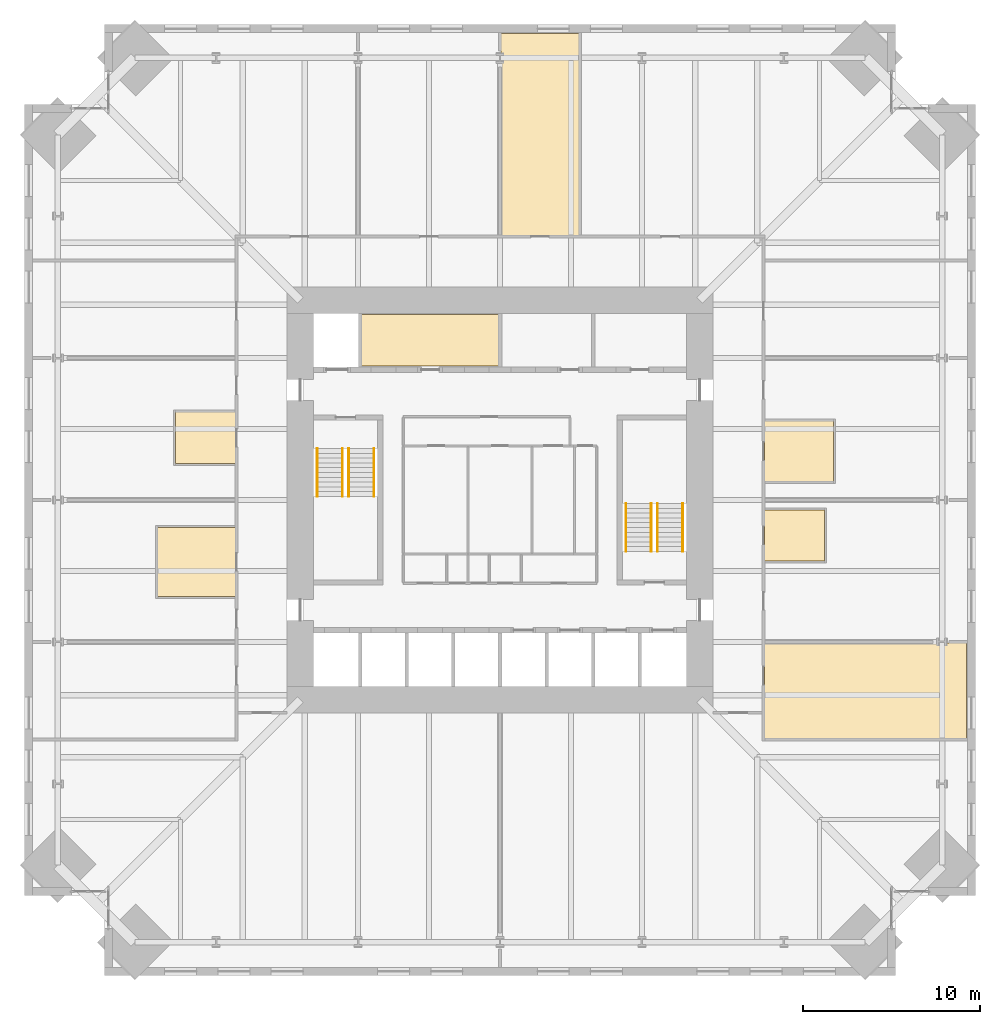
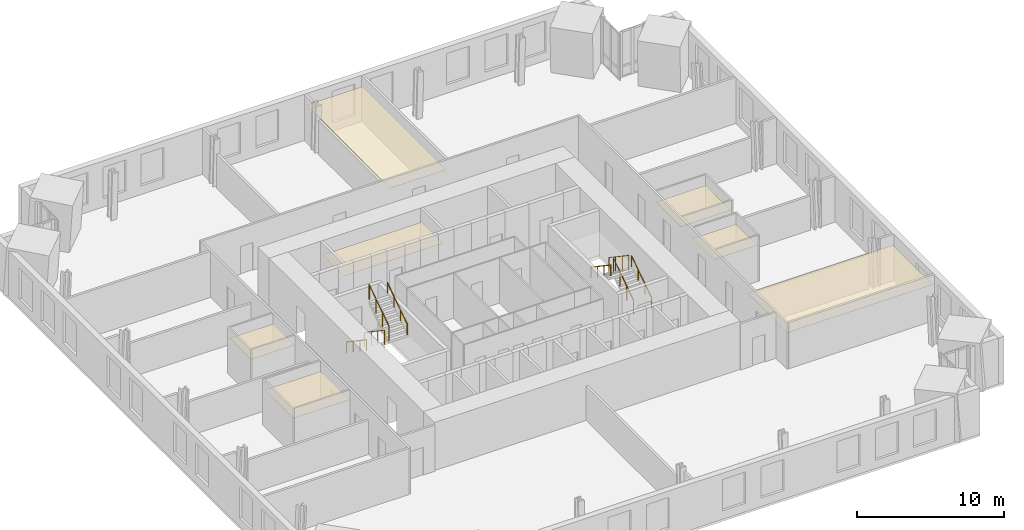
# One storey, part 17 of 17: 8 railings, 7 coverings.
"""IFC4 building model written with IfcOpenShell, lengths in metres."""

from ifc_helpers import new_model, si_unit, direction, frame, origin, origin_2d, place, context, subcontext, project, spatial, polyline, circle, outline, extrude, material, layer, layer_set, type_object, element, save


model = new_model("IFC4")

# Units and contexts
model_context = context("Model", 3, precision=1e-05, world=origin(), true_north=direction((0.0, 1.0)))
body_context = subcontext(model_context, "Body", "Model", "MODEL_VIEW")
ifc_project = project(units=[si_unit("LENGTHUNIT", "METRE"), si_unit("AREAUNIT", "SQUARE_METRE"), si_unit("VOLUMEUNIT", "CUBIC_METRE"), si_unit("PLANEANGLEUNIT", "RADIAN"), si_unit("MASSUNIT", "GRAM", prefix="KILO")], contexts=[model_context])

# Site, building, storey
site_placement = place(None, origin())
site = spatial("IfcSite", under=ifc_project, at=site_placement, CompositionType="ELEMENT")
building_placement = place(site_placement, origin())
building = spatial("IfcBuilding", under=site, at=building_placement, Name="Peilmerk Tower", CompositionType="ELEMENT")
storey_placement = place(building_placement, frame((0.0, 0.0, 147.800048828125)))
storey = spatial("IfcBuildingStorey", under=building, at=storey_placement, Name="L30", CompositionType="ELEMENT", Elevation=147.800048828125)

# Coverings
ifc_material_1 = material(Name="Mineral fibre ceiling tiles", Category="mineral")
ifc_layer = layer(ifc_material_1, 0.02490234375)
ifc_layer_set = layer_set([ifc_layer], Name="Mineral fibre ceiling tiles")
covering_type = type_object("IfcCoveringType", Name="CL1 25 suspended ceiling", PredefinedType="CEILING", material=ifc_layer_set)
covering_1_placement = place(storey_placement, frame((0.0, 0.0, 2.905029296875)))
element("IfcCovering", 1, at=covering_1_placement, inside=storey, type_object=covering_type, Name="Suspended ceiling Project room", PredefinedType="CEILING", context=body_context, shape_type="SweptSolid", body=[
    extrude(outline(polyline([(4.449951171875, 26.300048828125), (0.050048828125, 26.300048828125), (0.050048828125, 14.89990234375), (4.449951171875, 14.89990234375), (4.449951171875, 26.300048828125)])), origin(), (0.0, 0.0, 1.0), 0.02490234375),
])
covering_2_placement = place(storey_placement, frame((0.0, 0.0, 2.905029296875)))
element("IfcCovering", 2, at=covering_2_placement, inside=storey, type_object=covering_type, Name="Suspended ceiling Project room", PredefinedType="CEILING", context=body_context, shape_type="SweptSolid", body=[
    extrude(outline(polyline([(26.300048828125, -13.449951171875), (26.300048828125, -8.050048828125), (14.89990234375, -8.050048828125), (14.89990234375, -13.449951171875), (26.300048828125, -13.449951171875)])), origin(), (0.0, 0.0, 1.0), 0.02490234375),
])
covering_3_placement = place(storey_placement, frame((0.0, 0.0, 2.905029296875)))
element("IfcCovering", 3, at=covering_3_placement, inside=storey, type_object=covering_type, Name="Suspended ceiling Pantry", PredefinedType="CEILING", context=body_context, shape_type="SweptSolid", body=[
    extrude(outline(polyline([(18.800048828125, 1.050048828125), (18.800048828125, 4.449951171875), (14.89990234375, 4.449951171875), (14.89990234375, 1.050048828125), (18.800048828125, 1.050048828125)])), origin(), (0.0, 0.0, 1.0), 0.02490234375),
])
covering_4_placement = place(storey_placement, frame((0.0, 0.0, 2.905029296875)))
element("IfcCovering", 4, at=covering_4_placement, inside=storey, type_object=covering_type, Name="Suspended ceiling Focus room", PredefinedType="CEILING", context=body_context, shape_type="SweptSolid", body=[
    extrude(outline(polyline([(18.300048828125, -3.449951171875), (18.300048828125, -0.550048828125), (14.89990234375, -0.550048828125), (14.89990234375, -3.449951171875), (18.300048828125, -3.449951171875)])), origin(), (0.0, 0.0, 1.0), 0.02490234375),
])
covering_5_placement = place(storey_placement, frame((0.0, 0.0, 2.905029296875)))
element("IfcCovering", 5, at=covering_5_placement, inside=storey, type_object=covering_type, Name="Suspended ceiling Focus room", PredefinedType="CEILING", context=body_context, shape_type="SweptSolid", body=[
    extrude(outline(polyline([(-14.89990234375, 2.050048828125), (-14.89990234375, 4.949951171875), (-18.300048828125, 4.949951171875), (-18.300048828125, 2.050048828125), (-14.89990234375, 2.050048828125)])), origin(), (0.0, 0.0, 1.0), 0.02490234375),
])
covering_6_placement = place(storey_placement, frame((0.0, 0.0, 2.905029296875)))
element("IfcCovering", 6, at=covering_6_placement, inside=storey, type_object=covering_type, Name="Suspended ceiling Meeting room", PredefinedType="CEILING", context=body_context, shape_type="SweptSolid", body=[
    extrude(outline(polyline([(-14.89990234375, -5.449951171875), (-14.89990234375, -1.550048828125), (-19.300048828125, -1.550048828125), (-19.300048828125, -5.449951171875), (-14.89990234375, -5.449951171875)])), origin(), (0.0, 0.0, 1.0), 0.02490234375),
])
covering_7_placement = place(storey_placement, frame((0.0, 0.0, 2.824951171875)))
element("IfcCovering", 7, at=covering_7_placement, inside=storey, type_object=covering_type, Name="Suspended ceiling Back-of-house office", PredefinedType="CEILING", context=body_context, shape_type="SweptSolid", body=[
    extrude(outline(polyline([(-7.823974609375, 7.551025390625), (-0.051025390625, 7.551025390625), (-0.051025390625, 10.448974609375), (-7.823974609375, 10.448974609375), (-7.823974609375, 7.551025390625)])), origin(), (0.0, 0.0, 1.0), 0.02490234375),
])

# Railings
ifc_material_2 = material(Name="Steel flat bar balustrade", Category="steel")
railing_type_1 = type_object("IfcRailingType", Name="GR1 1200 stair guard", PredefinedType="GUARDRAIL", material=ifc_material_2)
railing_1_placement = place(storey_placement, frame((-8.8798828125, 2.89990234375, 0.181884765625)))
element("IfcRailing", 8, at=railing_1_placement, inside=storey, type_object=railing_type_1, Name="Guard stair 1 L30", PredefinedType="GUARDRAIL", context=body_context, shape_type="SweptSolid", body=[
    extrude(circle(Radius=0.02392578125, at=origin_2d()), frame((0.0, 0.0, 1.17578125), z_axis=(0.0, -0.829468130872, 0.55855404382), x_axis=(1.0, 0.0, 0.0)), (0.0, 0.0, 1.0), 3.255126953125),
    extrude(circle(Radius=0.02099609375, at=origin_2d()), origin(), (0.0, 0.0, 1.0), 1.15185546875),
    extrude(circle(Radius=0.02099609375, at=origin_2d()), frame((0.0, -0.89990234375, 0.60595703125)), (0.0, 0.0, 1.0), 1.15185546875),
    extrude(circle(Radius=0.02099609375, at=origin_2d()), frame((0.0, -1.800048828125, 1.212158203125)), (0.0, 0.0, 1.0), 1.15185546875),
    extrude(circle(Radius=0.02099609375, at=origin_2d()), frame((0.0, -2.699951171875, 1.818115234375)), (0.0, 0.0, 1.0), 1.15185546875),
])
for number, where, name in (
    (9, (-8.52001953125, 0.199951171875, 2.181884765625), "Guard stair 1 L30"),
    (10, (8.8798828125, -2.89990234375, 0.181884765625), "Guard stair 2 L30"),
):
    element("IfcRailing", number, at=place(storey_placement, frame(where)), inside=storey, type_object=railing_type_1, Name=name, PredefinedType="GUARDRAIL", context=body_context, shape_type="SweptSolid", body=[
        extrude(circle(Radius=0.02392578125, at=origin_2d()), frame((0.0, 0.0, 1.17578125), z_axis=(0.0, 0.829468130872, 0.55855404382), x_axis=(-1.0, 0.0, 0.0)), (0.0, 0.0, 1.0), 3.255126953125),
        extrude(circle(Radius=0.02099609375, at=origin_2d()), origin(), (0.0, 0.0, 1.0), 1.15185546875),
        extrude(circle(Radius=0.02099609375, at=origin_2d()), frame((0.0, 0.89990234375, 0.60595703125)), (0.0, 0.0, 1.0), 1.15185546875),
        extrude(circle(Radius=0.02099609375, at=origin_2d()), frame((0.0, 1.800048828125, 1.212158203125)), (0.0, 0.0, 1.0), 1.15185546875),
        extrude(circle(Radius=0.02099609375, at=origin_2d()), frame((0.0, 2.699951171875, 1.818115234375)), (0.0, 0.0, 1.0), 1.15185546875),
    ])
railing_2_placement = place(storey_placement, frame((8.52001953125, -0.199951171875, 2.181884765625)))
element("IfcRailing", 11, at=railing_2_placement, inside=storey, type_object=railing_type_1, Name="Guard stair 2 L30", PredefinedType="GUARDRAIL", context=body_context, shape_type="SweptSolid", body=[
    extrude(circle(Radius=0.02392578125, at=origin_2d()), frame((0.0, 0.0, 1.17578125), z_axis=(0.0, -0.829468130872, 0.55855404382), x_axis=(1.0, 0.0, 0.0)), (0.0, 0.0, 1.0), 3.255126953125),
    extrude(circle(Radius=0.02099609375, at=origin_2d()), origin(), (0.0, 0.0, 1.0), 1.15185546875),
    extrude(circle(Radius=0.02099609375, at=origin_2d()), frame((0.0, -0.89990234375, 0.60595703125)), (0.0, 0.0, 1.0), 1.15185546875),
    extrude(circle(Radius=0.02099609375, at=origin_2d()), frame((0.0, -1.800048828125, 1.212158203125)), (0.0, 0.0, 1.0), 1.15185546875),
    extrude(circle(Radius=0.02099609375, at=origin_2d()), frame((0.0, -2.699951171875, 1.818115234375)), (0.0, 0.0, 1.0), 1.15185546875),
])
ifc_material_3 = material(Name="Stainless steel tube", Category="steel")
railing_type_2 = type_object("IfcRailingType", Name="HR1 900 stair handrail", PredefinedType="HANDRAIL", material=ifc_material_3)
railing_3_placement = place(storey_placement, frame((-10.300048828125, 2.89990234375, 0.181884765625)))
element("IfcRailing", 12, at=railing_3_placement, inside=storey, type_object=railing_type_2, Name="Handrail stair 1 L30", PredefinedType="HANDRAIL", context=body_context, shape_type="SweptSolid", body=[
    extrude(circle(Radius=0.02392578125, at=origin_2d()), frame((0.0, 0.0, 0.8759765625), z_axis=(0.0, -0.829468130872, 0.55855404382), x_axis=(1.0, 0.0, 0.0)), (0.0, 0.0, 1.0), 3.255126953125),
    extrude(circle(Radius=0.02099609375, at=origin_2d()), origin(), (0.0, 0.0, 1.0), 0.851806640625),
    extrude(circle(Radius=0.02099609375, at=origin_2d()), frame((0.0, -0.89990234375, 0.60595703125)), (0.0, 0.0, 1.0), 0.851806640625),
    extrude(circle(Radius=0.02099609375, at=origin_2d()), frame((0.0, -1.800048828125, 1.212158203125)), (0.0, 0.0, 1.0), 0.851806640625),
    extrude(circle(Radius=0.02099609375, at=origin_2d()), frame((0.0, -2.699951171875, 1.818115234375)), (0.0, 0.0, 1.0), 0.851806640625),
])
for number, where, name in (
    (13, (-7.10009765625, 0.199951171875, 2.181884765625), "Handrail stair 1 L30"),
    (14, (10.300048828125, -2.89990234375, 0.181884765625), "Handrail stair 2 L30"),
):
    element("IfcRailing", number, at=place(storey_placement, frame(where)), inside=storey, type_object=railing_type_2, Name=name, PredefinedType="HANDRAIL", context=body_context, shape_type="SweptSolid", body=[
        extrude(circle(Radius=0.02392578125, at=origin_2d()), frame((0.0, 0.0, 0.8759765625), z_axis=(0.0, 0.829468130872, 0.55855404382), x_axis=(-1.0, 0.0, 0.0)), (0.0, 0.0, 1.0), 3.255126953125),
        extrude(circle(Radius=0.02099609375, at=origin_2d()), origin(), (0.0, 0.0, 1.0), 0.851806640625),
        extrude(circle(Radius=0.02099609375, at=origin_2d()), frame((0.0, 0.89990234375, 0.60595703125)), (0.0, 0.0, 1.0), 0.851806640625),
        extrude(circle(Radius=0.02099609375, at=origin_2d()), frame((0.0, 1.800048828125, 1.212158203125)), (0.0, 0.0, 1.0), 0.851806640625),
        extrude(circle(Radius=0.02099609375, at=origin_2d()), frame((0.0, 2.699951171875, 1.818115234375)), (0.0, 0.0, 1.0), 0.851806640625),
    ])
railing_4_placement = place(storey_placement, frame((7.10009765625, -0.199951171875, 2.181884765625)))
element("IfcRailing", 15, at=railing_4_placement, inside=storey, type_object=railing_type_2, Name="Handrail stair 2 L30", PredefinedType="HANDRAIL", context=body_context, shape_type="SweptSolid", body=[
    extrude(circle(Radius=0.02392578125, at=origin_2d()), frame((0.0, 0.0, 0.8759765625), z_axis=(0.0, -0.829468130872, 0.55855404382), x_axis=(1.0, 0.0, 0.0)), (0.0, 0.0, 1.0), 3.255126953125),
    extrude(circle(Radius=0.02099609375, at=origin_2d()), origin(), (0.0, 0.0, 1.0), 0.851806640625),
    extrude(circle(Radius=0.02099609375, at=origin_2d()), frame((0.0, -0.89990234375, 0.60595703125)), (0.0, 0.0, 1.0), 0.851806640625),
    extrude(circle(Radius=0.02099609375, at=origin_2d()), frame((0.0, -1.800048828125, 1.212158203125)), (0.0, 0.0, 1.0), 0.851806640625),
    extrude(circle(Radius=0.02099609375, at=origin_2d()), frame((0.0, -2.699951171875, 1.818115234375)), (0.0, 0.0, 1.0), 0.851806640625),
])

save(model, "model.ifc")
